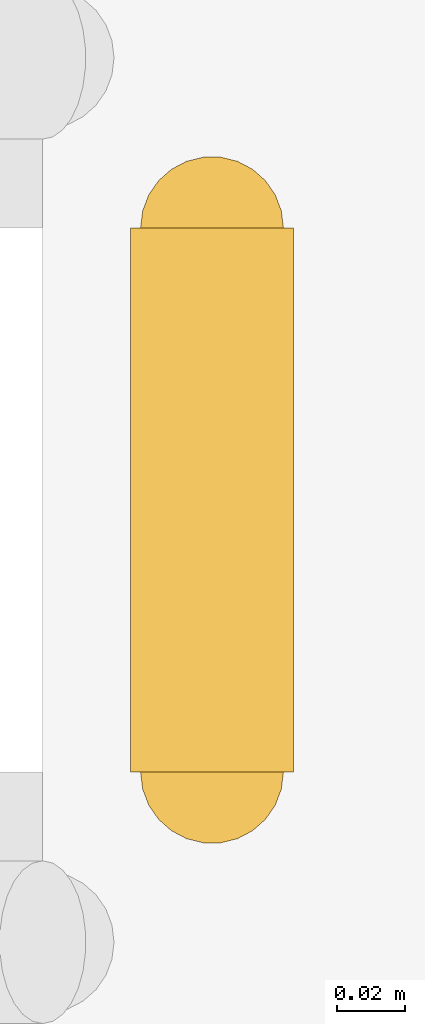
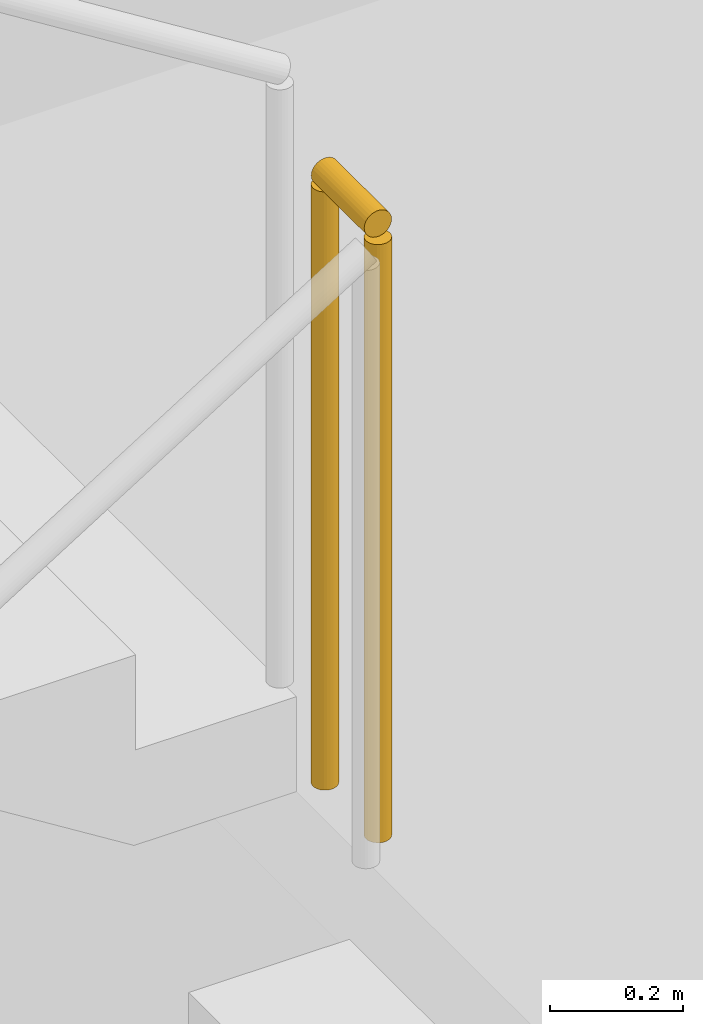
# One storey, part 15 of 16: 1 railing.
"""IFC4 building model written with IfcOpenShell, lengths in metres."""

import ifcopenshell
import ifcopenshell.guid

model = None  # the IFC model being written
_history = None  # IfcOwnerHistory: only IFC2X3 demands one
_inside = {}  # id of a spatial element -> (the spatial element, [elements in it])
_under = {}  # id of a project, library or spatial element -> (it, [spatial elements below it])
_declared = {}  # id of a project -> (the project, [libraries it declares])
_typed = {}  # id of a type object -> (the type object, [elements of that type])
_made_of = {}  # id of a material, layer set ... -> (it, [elements and type objects made of it])


def new_model(schema):
    """Start an empty IFC model of exactly this schema.

    Asked for "IFC4X3", IfcOpenShell would pick the latest addendum, in which some entities
    have other attributes; the version numbers below select the first issue.
    IFC2X3 requires an IfcOwnerHistory on every rooted entity: one is made here for all.
    """
    global model, _history
    if schema == "IFC4X3":
        model = ifcopenshell.file(schema_version=(4, 3, 0, 0))
    else:
        model = ifcopenshell.file(schema=schema)
    _inside.clear()
    _under.clear()
    _declared.clear()
    _typed.clear()
    _made_of.clear()
    _history = None
    if model.schema == "IFC2X3":
        org = make("IfcOrganization", Name="unknown")
        user = make(
            "IfcPersonAndOrganization",
            ThePerson=make("IfcPerson", FamilyName="unknown"),
            TheOrganization=org,
        )
        app = make(
            "IfcApplication",
            ApplicationDeveloper=org,
            Version="unknown",
            ApplicationFullName="unknown",
            ApplicationIdentifier="unknown",
        )
        _history = make(
            "IfcOwnerHistory",
            OwningUser=user,
            OwningApplication=app,
            ChangeAction="ADDED",
            CreationDate=0,
        )
    return model


def make(cls, **values):
    """One entity of the class cls with the attributes given. An attribute that is None is left unset."""
    return model.create_entity(
        cls, **{name: value for name, value in values.items() if value is not None}
    )


def rooted(cls, **values):
    """An entity with a GlobalId (a new one), such as an element, a storey or a relation."""
    return make(cls, GlobalId=ifcopenshell.guid.new(), OwnerHistory=_history, **values)


def si_unit(unit_type, name, prefix=None):
    """IfcSIUnit, for example si_unit("LENGTHUNIT", "METRE", prefix="MILLI")."""
    return make("IfcSIUnit", UnitType=unit_type, Prefix=prefix, Name=name)


def assignment(units):
    """IfcUnitAssignment: the units of a project."""
    return None if units is None else make("IfcUnitAssignment", Units=units)


def point(xyz):
    """IfcCartesianPoint."""
    return None if xyz is None else make("IfcCartesianPoint", Coordinates=xyz)


def direction(xyz):
    """IfcDirection."""
    return None if xyz is None else make("IfcDirection", DirectionRatios=xyz)


def frame(location, z_axis=None, x_axis=None):
    """IfcAxis2Placement3D, a coordinate frame: its origin and axes. An axis left out is left unset."""
    return make(
        "IfcAxis2Placement3D",
        Location=point(location),
        Axis=direction(z_axis),
        RefDirection=direction(x_axis),
    )


def frame_2d(location, x_axis=None):
    """IfcAxis2Placement2D, a coordinate frame in the plane: its origin and x axis."""
    return make(
        "IfcAxis2Placement2D", Location=point(location), RefDirection=direction(x_axis)
    )


def origin():
    """The frame at (0, 0, 0) with its axes left unset."""
    return frame((0.0, 0.0, 0.0))


def origin_2d():
    """The frame at (0, 0) in the plane with its x axis left unset."""
    return frame_2d((0.0, 0.0))


def place(relative_to, where):
    """IfcLocalPlacement: puts the frame where relative to a parent placement (None: the world)."""
    return make(
        "IfcLocalPlacement", PlacementRelTo=relative_to, RelativePlacement=where
    )


def context(
    kind, dimensions, precision=None, world=None, true_north=None, identifier=None
):
    """IfcGeometricRepresentationContext, for example the 3D "Model" context."""
    return make(
        "IfcGeometricRepresentationContext",
        ContextIdentifier=identifier,
        ContextType=kind,
        CoordinateSpaceDimension=dimensions,
        Precision=precision,
        WorldCoordinateSystem=world,
        TrueNorth=true_north,
    )


def subcontext(parent, identifier, kind, view, scale=None):
    """IfcGeometricRepresentationSubContext, for example "Body" below "Model"."""
    return make(
        "IfcGeometricRepresentationSubContext",
        ContextIdentifier=identifier,
        ContextType=kind,
        ParentContext=parent,
        TargetScale=scale,
        TargetView=view,
    )


def project(units=None, contexts=None):
    """IfcProject with its units and contexts."""
    return rooted(
        "IfcProject",
        Name="project",
        RepresentationContexts=contexts,
        UnitsInContext=assignment(units),
    )


def spatial(cls, under=None, at=None, **own):
    """A site, building, storey or space (cls), placed at a placement, below another one or the project."""
    s = rooted(cls, ObjectPlacement=at, **own)
    if under is not None:
        _under.setdefault(under.id(), (under, []))[1].append(s)
    return s


def profile(cls, at=None, kind="AREA", **sizes):
    """A parametric profile (cls). Its sizes go by their IFC names, for example OverallWidth=200.0."""
    return make(cls, ProfileType=kind, Position=at, **sizes)


def circle(**sizes):
    """IfcCircleProfileDef."""
    return profile("IfcCircleProfileDef", **sizes)


def extrude(swept, where, along, depth):
    """IfcExtrudedAreaSolid: the profile swept, set in the frame where, extruded along a direction by depth."""
    return make(
        "IfcExtrudedAreaSolid",
        SweptArea=swept,
        Position=where,
        ExtrudedDirection=direction(along),
        Depth=depth,
    )


def shape(context_of_items, identifier, shape_type, items):
    """IfcShapeRepresentation: the items that make up one representation, for example the "Body"."""
    return make(
        "IfcShapeRepresentation",
        ContextOfItems=context_of_items,
        RepresentationIdentifier=identifier,
        RepresentationType=shape_type,
        Items=items,
    )


def material(Name=None, Category=None):
    """IfcMaterial."""
    return make("IfcMaterial", Name=Name, Category=Category)


def made_of(thing, what):
    """Note that an element or type object is made of a material, layer set ...; save() writes the relation."""
    if what is not None:
        _made_of.setdefault(what.id(), (what, []))[1].append(thing)
    return thing


def type_object(cls, material=None, **own):
    """A type object (cls), such as IfcWallType, which elements share."""
    return made_of(rooted(cls, **own), material)


def element(
    cls,
    number,
    at=None,
    inside=None,
    cuts=None,
    type_object=None,
    material=None,
    context=None,
    identifier="Body",
    shape_type=None,
    held_by="IfcProductDefinitionShape",
    body=None,
    shapes=None,
    **own,
):
    """One element of the class cls, such as IfcWall. Its Tag is "e" and its number.

    at: its placement. inside: the storey or other place that contains it. cuts: it is an
    opening in that element (IfcRelVoidsElement). A single representation is given by context,
    identifier, shape_type and body (its items); several are given by shapes. held_by: the class
    of the entity that holds the representations. save() writes the other relations.
    """
    e = rooted(cls, Tag="e%d" % number, ObjectPlacement=at, **own)
    if body is not None:
        shapes = [shape(context, identifier, shape_type, body)]
    if shapes is not None:
        e.Representation = make(held_by, Representations=shapes)
    if inside is not None:
        _inside.setdefault(inside.id(), (inside, []))[1].append(e)
    if cuts is not None:
        rooted(
            "IfcRelVoidsElement", RelatingBuildingElement=cuts, RelatedOpeningElement=e
        )
    if type_object is not None:
        _typed.setdefault(type_object.id(), (type_object, []))[1].append(e)
    return made_of(e, material)


def aggregate(whole, parts):
    """IfcRelAggregates: a whole, such as a stair, and the parts it consists of."""
    return rooted("IfcRelAggregates", RelatingObject=whole, RelatedObjects=parts)


def save(model, path):
    """Write the relations noted so far, then the file.

    IfcRelAggregates (storeys below a building ...), IfcRelContainedInSpatialStructure (elements
    in a storey), IfcRelDefinesByType, IfcRelAssociatesMaterial and IfcRelDeclares: one each for
    every whole, place, type object, material and project.
    """
    for whole, parts in _under.values():
        aggregate(whole, parts)
    for where, things in _inside.values():
        rooted(
            "IfcRelContainedInSpatialStructure",
            RelatedElements=things,
            RelatingStructure=where,
        )
    for kind, things in _typed.values():
        rooted("IfcRelDefinesByType", RelatedObjects=things, RelatingType=kind)
    for what, things in _made_of.values():
        rooted("IfcRelAssociatesMaterial", RelatedObjects=things, RelatingMaterial=what)
    for by, libraries in _declared.values():
        rooted("IfcRelDeclares", RelatingContext=by, RelatedDefinitions=libraries)
    model.write(path)


model = new_model("IFC4")

# Units and contexts
model_context = context("Model", 3, precision=1e-05, world=origin(), true_north=direction((0.0, 1.0)))
body_context = subcontext(model_context, "Body", "Model", "MODEL_VIEW")
ifc_project = project(units=[si_unit("LENGTHUNIT", "METRE"), si_unit("AREAUNIT", "SQUARE_METRE"), si_unit("VOLUMEUNIT", "CUBIC_METRE"), si_unit("PLANEANGLEUNIT", "RADIAN"), si_unit("MASSUNIT", "GRAM", prefix="KILO")], contexts=[model_context])

# Site, building, storey
site_placement = place(None, origin())
site = spatial("IfcSite", under=ifc_project, at=site_placement, CompositionType="ELEMENT")
building_placement = place(site_placement, origin())
building = spatial("IfcBuilding", under=site, at=building_placement, Name="Kolveth Station Tower", CompositionType="ELEMENT")
storey_placement = place(building_placement, frame((0.0, 0.0, -4.199951171875)))
storey = spatial("IfcBuildingStorey", under=building, at=storey_placement, Name="B1", CompositionType="ELEMENT", Elevation=-4.199951171875)

# Railing
ifc_material = material(Name="Painted Steel S355 balustrade", Category="steel")
railing_type = type_object("IfcRailingType", Name="Guard_GR2", PredefinedType="BALUSTRADE", material=ifc_material)
railing_placement = place(storey_placement, frame((60.8798828125, -8.449951171875, 2.099853515625)))
element("IfcRailing", 1, at=railing_placement, inside=storey, type_object=railing_type, Name="B1 ST4 stair guard 2", PredefinedType="BALUSTRADE", context=body_context, shape_type="SweptSolid", body=[
    extrude(circle(Radius=0.02392578125, at=origin_2d()), frame((0.0, 0.0, 1.1259765625), z_axis=(0.0, 1.0, 0.0), x_axis=(-1.0, 0.0, 0.0)), (0.0, 0.0, 1.0), 0.159912109375),
    extrude(circle(Radius=0.02099609375, at=origin_2d()), origin(), (0.0, 0.0, 1.0), 1.101806640625),
    extrude(circle(Radius=0.02099609375, at=origin_2d()), frame((0.0, 0.159912109375, 0.0)), (0.0, 0.0, 1.0), 1.101806640625),
])

save(model, "model.ifc")
